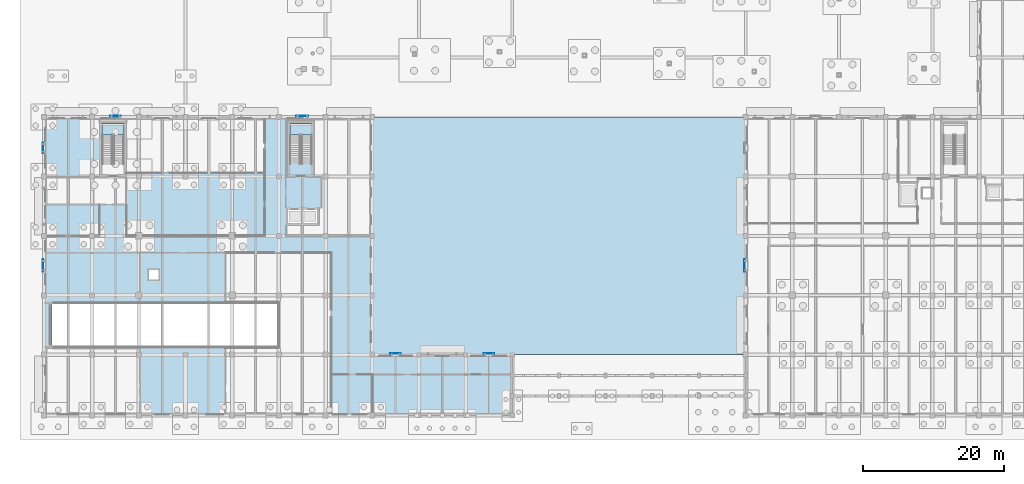
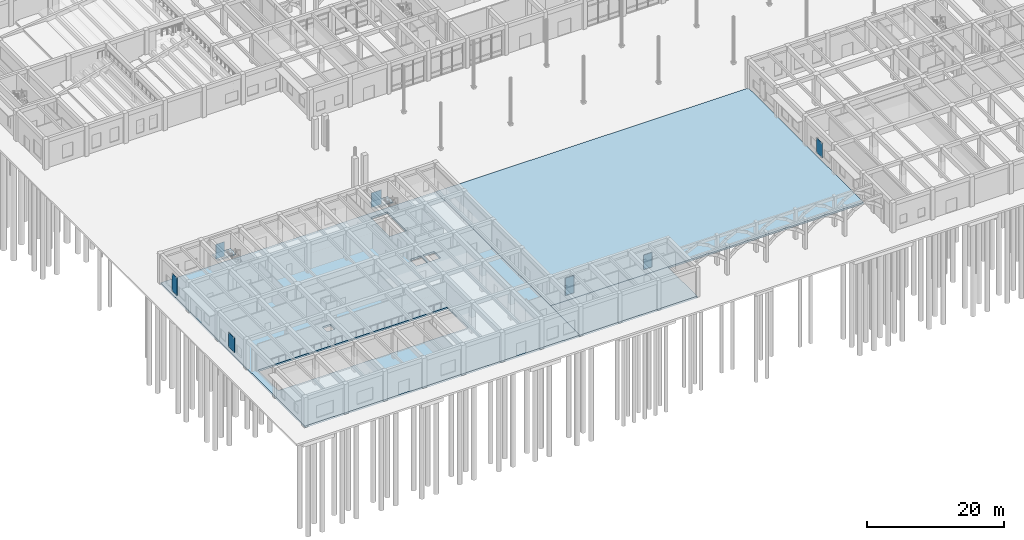
# One storey, part 40 of 82: 7 plates, 5 slabs, 2 elements without a shape of their own.
"""IFC4 building model written with IfcOpenShell, lengths in metres."""

from ifc_helpers import new_model, si_unit, direction, frame, origin, origin_2d, place, context, subcontext, project, spatial, polyline, rectangle, outline, extrude, material, layer, layer_set, type_object, element, aggregate, save


model = new_model("IFC4")

# Units and contexts
model_context = context("Model", 3, precision=1e-05, world=origin(), true_north=direction((0.0, 1.0)))
body_context = subcontext(model_context, "Body", "Model", "MODEL_VIEW")
ifc_project = project(units=[si_unit("LENGTHUNIT", "METRE"), si_unit("AREAUNIT", "SQUARE_METRE"), si_unit("VOLUMEUNIT", "CUBIC_METRE"), si_unit("PLANEANGLEUNIT", "RADIAN"), si_unit("MASSUNIT", "GRAM", prefix="KILO")], contexts=[model_context])

# Site, building, storey
site_placement = place(None, origin())
site = spatial("IfcSite", under=ifc_project, at=site_placement, CompositionType="ELEMENT")
building_placement = place(site_placement, origin())
building = spatial("IfcBuilding", under=site, at=building_placement, Name="Kolvaren Faculty of Natural Sciences", CompositionType="ELEMENT")
storey_placement = place(building_placement, origin())
storey = spatial("IfcBuildingStorey", under=building, at=storey_placement, Name="L00", CompositionType="ELEMENT", Elevation=0.0)

# Plates
ifc_material_1 = material(Name="Extruded architectural terracotta screen", Category="masonry")
ifc_layer_1 = layer(ifc_material_1, 0.06494140625)
ifc_layer_set_1 = layer_set([ifc_layer_1], Name="Extruded architectural terracotta screen")
plate_type_1 = type_object("IfcPlateType", Name="EnvelopePlate_JL01", PredefinedType="USERDEFINED", material=ifc_layer_set_1)
for number, where, z_axis, x_axis, name in (
    (1, (10.10009765625, 42.340087890625, 0.849853515625), (0.0, 0.0, 1.0), (1.0, 0.0, 0.0), "L00 perforated terracotta jali sun screen JL-01"),
    (2, (62.89990234375, 8.739990234375, 0.849853515625), (0.0, 0.0, 1.0), (1.0, 0.0, 0.0), "L00 perforated terracotta jali sun screen JL-01"),
):
    element("IfcPlate", number, at=place(storey_placement, frame(where, z_axis=z_axis, x_axis=x_axis)), inside=storey, type_object=plate_type_1, Name=name, ObjectType="SCREEN", PredefinedType="USERDEFINED", context=body_context, shape_type="SweptSolid", body=[
        extrude(rectangle(XDim=1.449951171875, YDim=0.06494140625, at=origin_2d()), origin(), (0.0, 0.0, 1.0), 2.60009765625),
    ])
ifc_layer_2 = layer(ifc_material_1, 0.06494140625)
ifc_layer_set_2 = layer_set([ifc_layer_2], Name="Extruded architectural terracotta screen")
plate_type_2 = type_object("IfcPlateType", Name="EnvelopePlate_JL02", PredefinedType="USERDEFINED", material=ifc_layer_set_2)
for number, where, z_axis, x_axis, name in (
    (3, (-0.139892578125, 21.199951171875, 0.849853515625), (0.0, 0.0, 1.0), (0.0, 1.0, 0.0), "L00 perforated terracotta jali sun screen JL-02"),
    (4, (36.5, 42.340087890625, 0.849853515625), (0.0, 0.0, 1.0), (1.0, 0.0, 0.0), "L00 perforated terracotta jali sun screen JL-02"),
    (5, (99.06005859375, 21.199951171875, 0.849853515625), (0.0, 0.0, 1.0), (0.0, 1.0, 0.0), "L00 perforated terracotta jali sun screen JL-02"),
):
    element("IfcPlate", number, at=place(storey_placement, frame(where, z_axis=z_axis, x_axis=x_axis)), inside=storey, type_object=plate_type_2, Name=name, ObjectType="SCREEN", PredefinedType="USERDEFINED", context=body_context, shape_type="SweptSolid", body=[
        extrude(rectangle(XDim=1.75, YDim=0.06494140625, at=origin_2d()), origin(), (0.0, 0.0, 1.0), 2.60009765625),
    ])
ifc_layer_3 = layer(ifc_material_1, 0.06494140625)
ifc_layer_set_3 = layer_set([ifc_layer_3], Name="Extruded architectural terracotta screen")
plate_type_3 = type_object("IfcPlateType", Name="EnvelopePlate_JL03", PredefinedType="USERDEFINED", material=ifc_layer_set_3)
for number, where, z_axis, x_axis, name in (
    (6, (-0.139892578125, 37.830078125, 0.849853515625), (0.0, 0.0, 1.0), (0.0, 1.0, 0.0), "L00 perforated terracotta jali sun screen JL-03"),
    (7, (49.699951171875, 8.739990234375, 0.849853515625), (0.0, 0.0, 1.0), (1.0, 0.0, 0.0), "L00 perforated terracotta jali sun screen JL-03"),
):
    element("IfcPlate", number, at=place(storey_placement, frame(where, z_axis=z_axis, x_axis=x_axis)), inside=storey, type_object=plate_type_3, Name=name, ObjectType="SCREEN", PredefinedType="USERDEFINED", context=body_context, shape_type="SweptSolid", body=[
        extrude(rectangle(XDim=1.449951171875, YDim=0.06494140625, at=origin_2d()), origin(), (0.0, 0.0, 1.0), 3.10009765625),
    ])

# Slabs
ifc_material_2 = material(Name="Concrete C35/45", Category="concrete")
ifc_layer_4 = layer(ifc_material_2, 0.320068359375)
ifc_layer_set_4 = layer_set([ifc_layer_4], Name="Concrete C35/45")
slab_type_1 = type_object("IfcSlabType", Name="GroundSlab_320", PredefinedType="FLOOR", material=ifc_layer_set_4)
slab_1_placement = place(storey_placement, frame((0.0, 0.0, -0.320068359375)))
element("IfcSlab", 8, at=slab_1_placement, inside=storey, type_object=slab_type_1, Name="L00 V3 structural slab 1", PredefinedType="FLOOR", context=body_context, shape_type="SweptSolid", body=[
    extrude(outline(polyline([(46.39990234375, 8.60009765625), (66.199951171875, 8.60009765625), (66.199951171875, 0.0), (46.39990234375, 0.0), (46.39990234375, 8.60009765625)])), origin(), (0.0, 0.0, 1.0), 0.320068359375),
])
slab_2_placement = place(storey_placement, frame((0.0, 0.0, -0.320068359375)))
element("IfcSlab", 9, at=slab_2_placement, inside=storey, type_object=slab_type_1, Name="L00 V4 structural slab 1", PredefinedType="FLOOR", context=body_context, shape_type="SweptSolid", body=[
    extrude(outline(polyline([(0.0, 0.0), (0.0, 42.199951171875), (46.39990234375, 42.199951171875), (46.39990234375, 0.0), (0.0, 0.0)]), holes=[polyline([(38.60009765625, 29.10009765625), (36.699951171875, 29.10009765625), (36.699951171875, 27.199951171875), (38.60009765625, 27.199951171875), (38.60009765625, 29.10009765625)]), polyline([(37.72998046875, 41.22998046875), (34.8701171875, 41.22998046875), (34.8701171875, 35.669921875), (37.72998046875, 35.669921875), (37.72998046875, 41.22998046875)]), polyline([(36.39990234375, 29.10009765625), (34.5, 29.10009765625), (34.5, 27.199951171875), (36.39990234375, 27.199951171875), (36.39990234375, 29.10009765625)]), polyline([(1.14990234375, 15.800048828125), (1.14990234375, 9.800048828125), (33.199951171875, 9.800048828125), (33.199951171875, 15.800048828125), (1.14990234375, 15.800048828125)]), polyline([(16.199951171875, 20.60009765625), (14.800048828125, 20.60009765625), (14.800048828125, 19.199951171875), (16.199951171875, 19.199951171875), (16.199951171875, 20.60009765625)])]), origin(), (0.0, 0.0, 1.0), 0.320068359375),
])
slab_3_placement = place(storey_placement, frame((0.0, 0.0, -0.320068359375)))
element("IfcSlab", 10, at=slab_3_placement, inside=storey, type_object=slab_type_1, Name="L00 courtyard deck slab over B01 basement 1", PredefinedType="FLOOR", context=body_context, shape_type="SweptSolid", body=[
    extrude(outline(polyline([(99.199951171875, 42.199951171875), (99.199951171875, 25.39990234375), (99.199951171875, 8.60009765625), (66.199951171875, 8.60009765625), (46.39990234375, 8.60009765625), (46.39990234375, 42.199951171875), (99.199951171875, 42.199951171875)])), origin(), (0.0, 0.0, 1.0), 0.320068359375),
])

# Stair, slab
stair_type = type_object("IfcStairType", Name="DoglegStair_H5400", PredefinedType="HALF_TURN_STAIR", material=ifc_material_2)
stair_1_placement = place(storey_placement, origin())
stair_1 = element("IfcStair", 11, at=stair_1_placement, inside=storey, type_object=stair_type, Name="L00 Protected exit stair ST-4", PredefinedType="HALF_TURN_STAIR")
ifc_layer_5 = layer(ifc_material_2, 0.199951171875)
ifc_layer_set_5 = layer_set([ifc_layer_5], Name="Concrete C35/45")
slab_type_2 = type_object("IfcSlabType", Name="StairLandingSlab_200", PredefinedType="LANDING", material=ifc_layer_set_5)
slab_4_placement = place(storey_placement, frame((0.0, 0.0, 2.5)))
slab_4 = element("IfcSlab", 12, at=slab_4_placement, type_object=slab_type_2, Name="ST-4 landing 1", PredefinedType="LANDING", context=body_context, shape_type="SweptSolid", body=[
    extrude(outline(polyline([(37.85009765625, 39.679931640625), (37.85009765625, 41.35009765625), (34.75, 41.35009765625), (34.75, 39.679931640625), (37.85009765625, 39.679931640625)])), origin(), (0.0, 0.0, 1.0), 0.199951171875),
])
aggregate(stair_1, [slab_4])

stair_2_placement = place(storey_placement, origin())
stair_2 = element("IfcStair", 13, at=stair_2_placement, inside=storey, type_object=stair_type, Name="L00 Protected exit stair ST-8", PredefinedType="HALF_TURN_STAIR")
slab_5_placement = place(storey_placement, frame((0.0, 0.0, 2.5)))
slab_5 = element("IfcSlab", 14, at=slab_5_placement, type_object=slab_type_2, Name="ST-8 landing 1", PredefinedType="LANDING", context=body_context, shape_type="SweptSolid", body=[
    extrude(outline(polyline([(11.300048828125, 39.679931640625), (11.300048828125, 41.35009765625), (8.199951171875, 41.35009765625), (8.199951171875, 39.679931640625), (11.300048828125, 39.679931640625)])), origin(), (0.0, 0.0, 1.0), 0.199951171875),
])
aggregate(stair_2, [slab_5])

save(model, "model.ifc")
